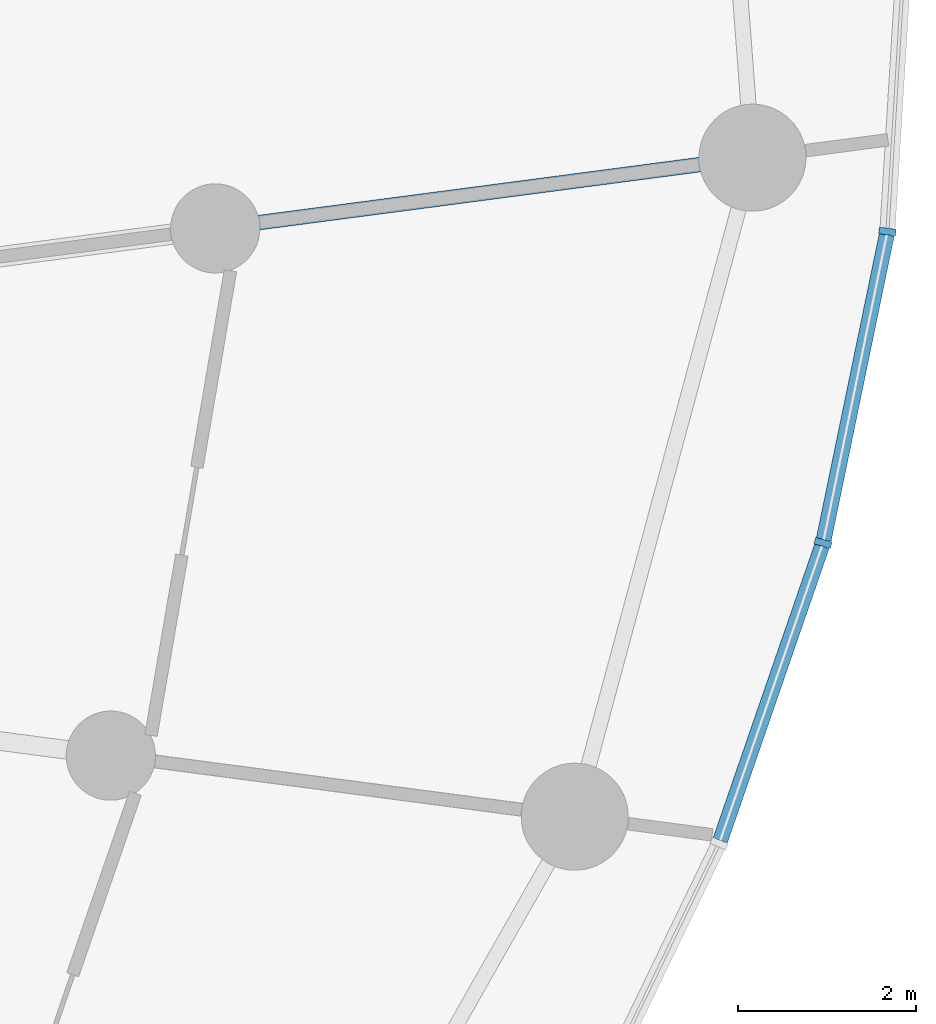
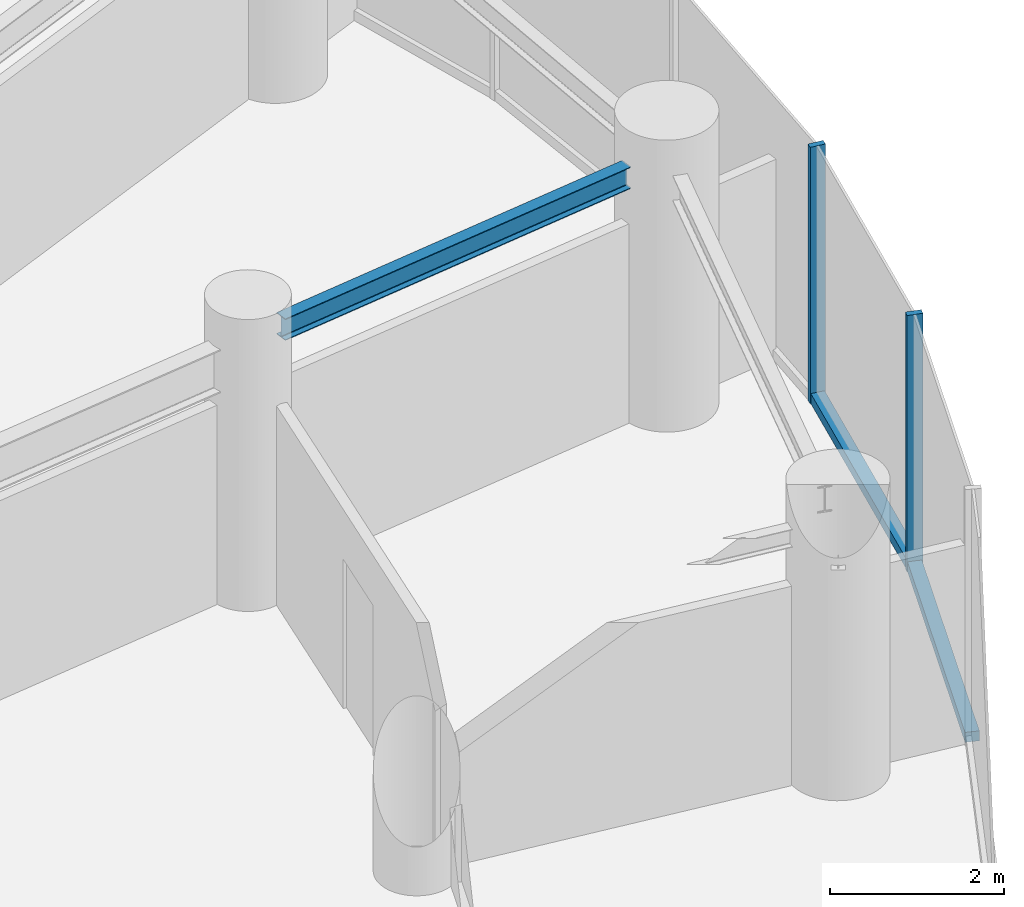
# One storey, part 5 of 17: 4 members, 1 beam, 1 element without a shape of its own.
"""IFC4 building model written with IfcOpenShell, lengths in metres."""

from ifc_helpers import new_model, si_unit, direction, frame, origin, origin_2d, place, context, subcontext, project, spatial, rectangle, i_section, extrude, source, transform, mapped, material, layer, layer_set, material_profile, profile_set, type_object, element, aggregate, save


model = new_model("IFC4")

# Units and contexts
model_context = context("Model", 3, precision=1e-05, world=origin(), true_north=direction((0.0, 1.0)))
body_context = subcontext(model_context, "Body", "Model", "MODEL_VIEW")
ifc_project = project(units=[si_unit("LENGTHUNIT", "METRE"), si_unit("AREAUNIT", "SQUARE_METRE"), si_unit("VOLUMEUNIT", "CUBIC_METRE"), si_unit("PLANEANGLEUNIT", "RADIAN"), si_unit("MASSUNIT", "GRAM", prefix="KILO")], contexts=[model_context])

# Site, building, storey
site_placement = place(None, origin())
site = spatial("IfcSite", under=ifc_project, at=site_placement, CompositionType="ELEMENT")
building_placement = place(site_placement, origin())
building = spatial("IfcBuilding", under=site, at=building_placement, Name="Spindrift Exchange Tower", CompositionType="ELEMENT")
storey_placement = place(building_placement, frame((0.0, 0.0, 124.89990234375)))
storey = spatial("IfcBuildingStorey", under=building, at=storey_placement, Name="L29", CompositionType="ELEMENT", Elevation=124.89990234375)

# Beam
ifc_material_1 = material(Name="Steel Grade 300", Category="steel")
ifc_material_profile_1 = material_profile(ifc_material_1, i_section(OverallWidth=0.1650390625, OverallDepth=0.303955078125, WebThickness=0.006103515625, FlangeThickness=0.01025390625, FilletRadius=0.011474609375, at=origin_2d()), Name="310UB40.4")
ifc_profile_set_1 = profile_set([ifc_material_profile_1], Name="Steel Grade 300")
beam_type = type_object("IfcBeamType", Name="Floor Beam 310UB40.4 Steel Grade 300", PredefinedType="BEAM", material=ifc_profile_set_1)
shared_shape_1 = source(origin(), body_context, "Body", "SweptSolid", [
    extrude(i_section(OverallWidth=0.1650390625, OverallDepth=0.303955078125, WebThickness=0.006103515625, FlangeThickness=0.01025390625, FilletRadius=0.011474609375, at=origin_2d()), origin(), (0.0, 0.0, 1.0), 5.014404296875),
])
beam_placement = place(storey_placement, frame((75.509765625, 51.09521484375, 3.447998046875), z_axis=(0.99145015202, 0.13048599948, 0.0), x_axis=(-0.13048599948, 0.99145015202, 0.0)))
element("IfcBeam", 1, at=beam_placement, inside=storey, type_object=beam_type, Name="L29 radial beam R01B", PredefinedType="BEAM", context=body_context, shape_type="MappedRepresentation", body=[
    mapped(shared_shape_1, transform((0.0, 0.0, 0.0), scale=1.0)),
])

# Curtain wall, members
ifc_material_2 = material(Name="Fritted laminated glass with bronze frame", Category="glass")
ifc_layer = layer(ifc_material_2, 0.18994140625)
ifc_layer_set = layer_set([ifc_layer], Name="ZONE 2 BRONZE FRITTED WALL")
curtain_wall_type = type_object("IfcCurtainWallType", Name="ZONE 2 BRONZE FRITTED WALL", PredefinedType="NOTDEFINED", material=ifc_layer_set)
curtain_wall_placement = place(storey_placement, origin())
curtain_wall = element("IfcCurtainWall", 2, at=curtain_wall_placement, inside=storey, type_object=curtain_wall_type, Name="L29 Zone 2 Bronze Fritted Wall run 8", PredefinedType="NOTDEFINED")
ifc_material_3 = material(Name="Bronze anodised aluminium", Category="aluminium")
ifc_material_profile_2 = material_profile(ifc_material_3, rectangle(XDim=0.169921875, YDim=0.139892578125, at=origin_2d()), Name="ZONE 2 BRONZE FRITTED WALL TRANSOM 170X140")
ifc_profile_set_2 = profile_set([ifc_material_profile_2], Name="Bronze anodised aluminium")
member_type_1 = type_object("IfcMemberType", Name="ZONE 2 BRONZE FRITTED WALL TRANSOM 170X140", PredefinedType="USERDEFINED", material=ifc_profile_set_2)
shared_shape_2 = source(origin(), body_context, "Body", "SweptSolid", [
    extrude(rectangle(XDim=0.169921875, YDim=0.139892578125, at=origin_2d()), origin(), (0.0, 0.0, 1.0), 3.490478515625),
])
member_1_placement = place(storey_placement, frame((80.696044921875, 44.171630859375, 0.070068359375), z_axis=(0.32663727076, 0.945149772973, 0.0), x_axis=(-0.945149772973, 0.32663727076, 0.0)))
member_1 = element("IfcMember", 3, at=member_1_placement, type_object=member_type_1, Name="L29 transom CW-2.46", ObjectType="TRANSOM", PredefinedType="USERDEFINED", context=body_context, shape_type="MappedRepresentation", body=[
    mapped(shared_shape_2, transform((0.0, 0.0, 0.0), scale=1.0)),
])
shared_shape_3 = source(origin(), body_context, "Body", "SweptSolid", [
    extrude(rectangle(XDim=0.169921875, YDim=0.139892578125, at=origin_2d()), origin(), (0.0, 0.0, 1.0), 3.489990234375),
])
member_2_placement = place(storey_placement, frame((81.85595703125, 47.54296875, 0.070068359375), z_axis=(0.202381214708, 0.979306818078, 0.0), x_axis=(-0.979306818078, 0.202381214708, 0.0)))
member_2 = element("IfcMember", 4, at=member_2_placement, type_object=member_type_1, Name="L29 transom CW-2.47", ObjectType="TRANSOM", PredefinedType="USERDEFINED", context=body_context, shape_type="MappedRepresentation", body=[
    mapped(shared_shape_3, transform((0.0, 0.0, 0.0), scale=1.0)),
])
ifc_material_profile_3 = material_profile(ifc_material_3, rectangle(XDim=0.074951171875, YDim=0.18994140625, at=origin_2d()), Name="ZONE 2 BRONZE FRITTED WALL MULLION 75X190")
ifc_profile_set_3 = profile_set([ifc_material_profile_3], Name="Bronze anodised aluminium")
member_type_2 = type_object("IfcMemberType", Name="ZONE 2 BRONZE FRITTED WALL MULLION 75X190", PredefinedType="MULLION", material=ifc_profile_set_3)
shared_shape_4 = source(origin(), body_context, "Body", "SweptSolid", [
    extrude(rectangle(XDim=0.074951171875, YDim=0.18994140625, at=origin_2d()), origin(), (0.0, 0.0, 1.0), 3.60009765625),
])
member_3_placement = place(storey_placement, frame((81.848388671875, 47.506103515625, 0.0), z_axis=(0.0, 0.0, 1.0), x_axis=(0.265057235867, 0.964232680277, 0.0)))
member_3 = element("IfcMember", 5, at=member_3_placement, type_object=member_type_2, Name="L29 mullion CW-2.47", PredefinedType="MULLION", context=body_context, shape_type="MappedRepresentation", body=[
    mapped(shared_shape_4, transform((0.0, 0.0, 0.0), scale=1.0)),
])
member_4_placement = place(storey_placement, frame((82.56982421875, 50.99755859375, 0.0), z_axis=(0.0, 0.0, 1.0), x_axis=(0.132050866466, 0.991242941294, 0.0)))
member_4 = element("IfcMember", 6, at=member_4_placement, type_object=member_type_2, Name="L29 mullion CW-2.48", PredefinedType="MULLION", context=body_context, shape_type="MappedRepresentation", body=[
    mapped(shared_shape_4, transform((0.0, 0.0, 0.0), scale=1.0)),
])
aggregate(curtain_wall, [member_1, member_3, member_2, member_4])

save(model, "model.ifc")
